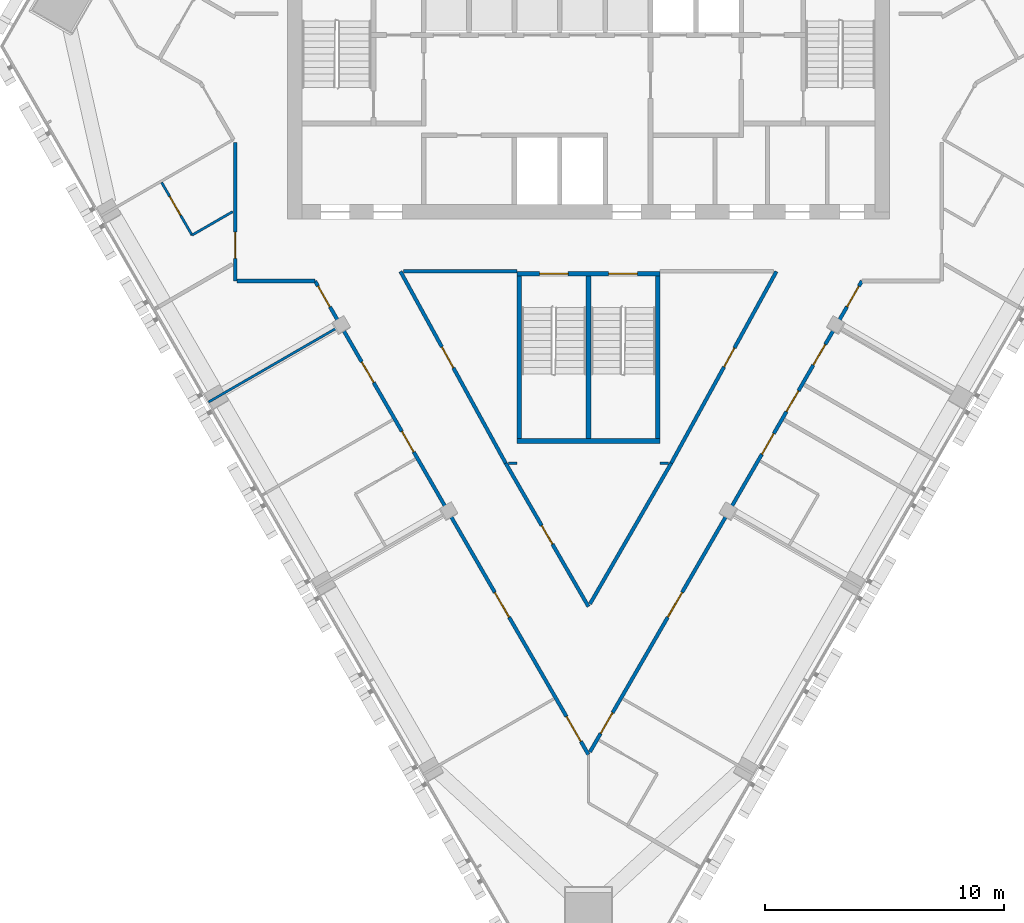
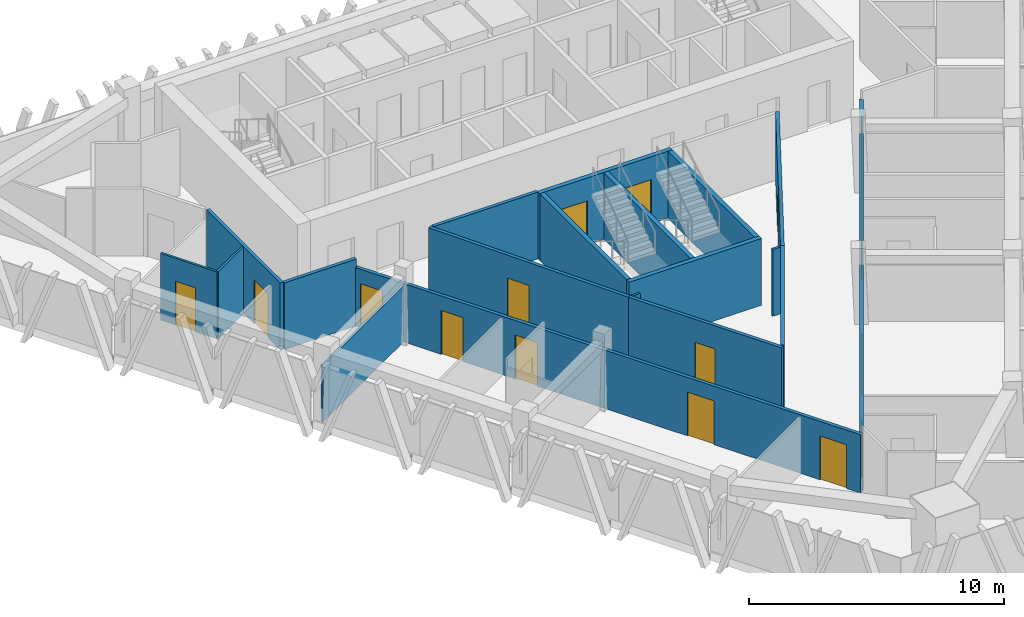
# One storey, part 8 of 14: 19 walls, 18 doors, 18 openings.
"""IFC4 building model written with IfcOpenShell, lengths in metres."""

from ifc_helpers import new_model, si_unit, direction, frame, frame_2d, origin, place, context, subcontext, project, spatial, rectangle, extrude, material, layer, layer_set, type_object, element, fill, save


model = new_model("IFC4")

# Units and contexts
model_context = context("Model", 3, precision=1e-05, world=origin(), true_north=direction((0.0, 1.0)))
body_context = subcontext(model_context, "Body", "Model", "MODEL_VIEW")
ifc_project = project(units=[si_unit("LENGTHUNIT", "METRE"), si_unit("AREAUNIT", "SQUARE_METRE"), si_unit("VOLUMEUNIT", "CUBIC_METRE"), si_unit("PLANEANGLEUNIT", "RADIAN"), si_unit("MASSUNIT", "GRAM", prefix="KILO")], contexts=[model_context])

# Site, building, storey
site_placement = place(None, origin())
site = spatial("IfcSite", under=ifc_project, at=site_placement, CompositionType="ELEMENT")
building_placement = place(site_placement, origin())
building = spatial("IfcBuilding", under=site, at=building_placement, Name="Altiplano Prism Tower", CompositionType="ELEMENT")
storey_placement = place(building_placement, frame((0.0, 0.0, 226.60009765625)))
storey = spatial("IfcBuildingStorey", under=building, at=storey_placement, Name="L58", CompositionType="ELEMENT", Elevation=226.60009765625)

# Wall
ifc_material_1 = material(Name="Plasterboard on steel stud", Category="steel")
ifc_layer_1 = layer(ifc_material_1, 0.10009765625)
ifc_layer_set_1 = layer_set([ifc_layer_1], Name="Plasterboard on steel stud")
wall_type_1 = type_object("IfcWallType", Name="Partition 100 unit", PredefinedType="PARTITIONING", material=ifc_layer_set_1)
wall_1_placement = place(storey_placement, frame((70.10009765625, 93.104736328125, 0.0), z_axis=(0.0, 0.0, 1.0), x_axis=(-0.866065717678, -0.499930167786, 0.0)))
element("IfcWall", 1, at=wall_1_placement, inside=storey, type_object=wall_type_1, Name="Partition P02 L58 028", PredefinedType="PARTITIONING", context=body_context, shape_type="SweptSolid", body=[
    extrude(rectangle(XDim=1.967041015625, YDim=0.10009765625, at=frame_2d((0.9833984375, 0.0))), origin(), (0.0, 0.0, 1.0), 3.199951171875),
])

# Wall, opening, door
wall_2_placement = place(storey_placement, frame((68.396484375, 92.121337890625, 0.0), z_axis=(0.0, 0.0, 1.0), x_axis=(-0.499990435942, 0.866030925526, 0.0)))
wall_2 = element("IfcWall", 2, at=wall_2_placement, inside=storey, type_object=wall_type_1, Name="Partition P02 L58 029", PredefinedType="PARTITIONING", context=body_context, shape_type="SweptSolid", body=[
    extrude(rectangle(XDim=2.5498046875, YDim=0.10009765625, at=frame_2d((1.27490234375, 0.0))), origin(), (0.0, 0.0, 1.0), 3.199951171875),
])
opening_1_placement = place(wall_2_placement, frame((0.964111328125, 0.0, 0.0)))
opening_1 = element("IfcOpeningElement", 3, at=opening_1_placement, cuts=wall_2, Name="Opening D1928", PredefinedType="OPENING", context=body_context, shape_type="SweptSolid", body=[
    extrude(rectangle(XDim=0.89990234375, YDim=2.10009765625, at=frame_2d((0.449951171875, 1.050048828125))), frame((0.0, 0.060546875, 0.0), z_axis=(0.0, -1.0, 0.0), x_axis=(1.0, 0.0, 0.0)), (0.0, 0.0, 1.0), 0.12109375),
])
ifc_material_2 = material(Name="Timber", Category="wood")
door_type_1 = type_object("IfcDoorType", Name="Accessible ensuite door 900 x 2100", OperationType="NOTDEFINED", PredefinedType="NOTDEFINED", material=ifc_material_2)
door_1_placement = place(opening_1_placement, origin())
door_1 = element("IfcDoor", 4, at=door_1_placement, inside=storey, type_object=door_type_1, Name="Door D1928", OperationType="SINGLE_SWING_LEFT", OverallHeight=2.10009765625, OverallWidth=0.89990234375, PredefinedType="NOTDEFINED", context=body_context, shape_type="SweptSolid", body=[
    extrude(rectangle(XDim=0.89990234375, YDim=2.10009765625, at=frame_2d((0.449951171875, 1.050048828125))), frame((0.0, 0.02490234375, 0.0), z_axis=(0.0, -1.0, 0.0), x_axis=(1.0, 0.0, 0.0)), (0.0, 0.0, 1.0), 0.050048828125),
])
fill(opening_1, door_1)

# Walls
ifc_layer_2 = layer(ifc_material_1, 0.10009765625)
ifc_layer_set_2 = layer_set([ifc_layer_2], Name="Plasterboard on steel stud")
wall_type_2 = type_object("IfcWallType", Name="Partition 100 wet", PredefinedType="PARTITIONING", material=ifc_layer_set_2)
for number, where, z_axis, x_axis, name in (
    (5, (88.3525390625, 82.57177734375, 0.0), (0.0, 0.0, 1.0), (-1.0, 0.0, 0.0), "Partition P03 L58 023"),
    (6, (82.0, 82.57177734375, 0.0), (0.0, 0.0, 1.0), (-1.0, 0.0, 0.0), "Partition P03 L58 024"),
):
    element("IfcWall", number, at=place(storey_placement, frame(where, z_axis=z_axis, x_axis=x_axis)), inside=storey, type_object=wall_type_2, Name=name, PredefinedType="PARTITIONING", context=body_context, shape_type="SweptSolid", body=[
        extrude(rectangle(XDim=0.3525390625, YDim=0.10009765625, at=frame_2d((0.17626953125, 0.0))), origin(), (0.0, 0.0, 1.0), 3.199951171875),
    ])
wall_3_placement = place(storey_placement, frame((69.0849609375, 85.128662109375, 0.0), z_axis=(0.0, 0.0, 1.0), x_axis=(0.866025537322, 0.499999768706, 0.0)))
element("IfcWall", 7, at=wall_3_placement, inside=storey, type_object=wall_type_2, Name="Partition P03 L58 031", PredefinedType="PARTITIONING", context=body_context, shape_type="SweptSolid", body=[
    extrude(rectangle(XDim=6.3251953125, YDim=0.10009765625, at=frame_2d((3.16259765625, 0.0))), origin(), (0.0, 0.0, 1.0), 2.699951171875),
])
ifc_layer_3 = layer(ifc_material_1, 0.14990234375)
ifc_layer_set_3 = layer_set([ifc_layer_3], Name="Plasterboard on steel stud")
wall_type_3 = type_object("IfcWallType", Name="Partition 150 corridor", PredefinedType="PARTITIONING", material=ifc_layer_set_3)
wall_4_placement = place(storey_placement, frame((88.468017578125, 82.57177734375, 0.0), z_axis=(0.0, 0.0, 1.0), x_axis=(-0.499892165497, -0.866087653113, 0.0)))
element("IfcWall", 8, at=wall_4_placement, inside=storey, type_object=wall_type_3, Name="Partition P06 L58 001", PredefinedType="PARTITIONING", context=body_context, shape_type="SweptSolid", body=[
    extrude(rectangle(XDim=6.8076171875, YDim=0.14990234375, at=frame_2d((3.40380859375, 0.0))), origin(), (0.0, 0.0, 1.0), 3.199951171875),
])

# Wall, opening, door
wall_5_placement = place(storey_placement, frame((85.0, 76.563232421875, 0.0), z_axis=(0.0, 0.0, 1.0), x_axis=(-0.49989000235, 0.866088901644, 0.0)))
wall_5 = element("IfcWall", 9, at=wall_5_placement, inside=storey, type_object=wall_type_3, Name="Partition P06 L58 002", PredefinedType="PARTITIONING", context=body_context, shape_type="SweptSolid", body=[
    extrude(rectangle(XDim=6.9375, YDim=0.14990234375, at=frame_2d((3.46875, 0.0))), origin(), (0.0, 0.0, 1.0), 3.199951171875),
])
opening_2_placement = place(wall_5_placement, frame((3.01904296875, 0.0, 0.0)))
opening_2 = element("IfcOpeningElement", 10, at=opening_2_placement, cuts=wall_5, Name="Opening D1923", PredefinedType="OPENING", context=body_context, shape_type="SweptSolid", body=[
    extrude(rectangle(XDim=0.89990234375, YDim=2.10009765625, at=frame_2d((0.449951171875, 1.050048828125))), frame((0.0, 0.08544921875, 0.0), z_axis=(0.0, -1.0, 0.0), x_axis=(1.0, 0.0, 0.0)), (0.0, 0.0, 1.0), 0.1708984375),
])
door_type_2 = type_object("IfcDoorType", Name="Toilet door 900 x 2100", OperationType="NOTDEFINED", PredefinedType="NOTDEFINED", material=ifc_material_2)
door_2_placement = place(opening_2_placement, origin())
door_2 = element("IfcDoor", 11, at=door_2_placement, inside=storey, type_object=door_type_2, Name="Door D1923", OperationType="SINGLE_SWING_LEFT", OverallHeight=2.10009765625, OverallWidth=0.89990234375, PredefinedType="NOTDEFINED", context=body_context, shape_type="SweptSolid", body=[
    extrude(rectangle(XDim=0.89990234375, YDim=2.10009765625, at=frame_2d((0.449951171875, 1.050048828125))), frame((0.0, 0.02490234375, 0.0), z_axis=(0.0, -1.0, 0.0), x_axis=(1.0, 0.0, 0.0)), (0.0, 0.0, 1.0), 0.050048828125),
])
fill(opening_2, door_2)

wall_6_placement = place(storey_placement, frame((92.873291015625, 90.60009765625, 0.0), z_axis=(0.0, 0.0, 1.0), x_axis=(-0.481054749011, -0.87669055456, 0.0)))
wall_6 = element("IfcWall", 12, at=wall_6_placement, inside=storey, type_object=wall_type_3, Name="Partition P06 L58 004", PredefinedType="PARTITIONING", context=body_context, shape_type="SweptSolid", body=[
    extrude(rectangle(XDim=9.157470703125, YDim=0.14990234375, at=frame_2d((4.57861328125, 0.0))), origin(), (0.0, 0.0, 1.0), 3.199951171875),
])
opening_3_placement = place(wall_6_placement, frame((3.657958984375, 0.0, 0.0)))
opening_3 = element("IfcOpeningElement", 13, at=opening_3_placement, cuts=wall_6, Name="Opening D1924", PredefinedType="OPENING", context=body_context, shape_type="SweptSolid", body=[
    extrude(rectangle(XDim=0.89990234375, YDim=2.10009765625, at=frame_2d((0.449951171875, 1.050048828125))), frame((0.0, 0.08544921875, 0.0), z_axis=(0.0, -1.0, 0.0), x_axis=(1.0, 0.0, 0.0)), (0.0, 0.0, 1.0), 0.1708984375),
])
door_3_placement = place(opening_3_placement, origin())
door_3 = element("IfcDoor", 14, at=door_3_placement, inside=storey, type_object=door_type_2, Name="Door D1924", OperationType="SINGLE_SWING_RIGHT", OverallHeight=2.10009765625, OverallWidth=0.89990234375, PredefinedType="NOTDEFINED", context=body_context, shape_type="SweptSolid", body=[
    extrude(rectangle(XDim=0.89990234375, YDim=2.10009765625, at=frame_2d((0.449951171875, 1.050048828125))), frame((0.0, 0.02490234375, 0.0), z_axis=(0.0, -1.0, 0.0), x_axis=(1.0, 0.0, 0.0)), (0.0, 0.0, 1.0), 0.050048828125),
])
fill(opening_3, door_3)

wall_7_placement = place(storey_placement, frame((81.531982421875, 82.57177734375, 0.0), z_axis=(0.0, 0.0, 1.0), x_axis=(-0.481054749011, 0.87669055456, 0.0)))
wall_7 = element("IfcWall", 15, at=wall_7_placement, inside=storey, type_object=wall_type_3, Name="Partition P06 L58 005", PredefinedType="PARTITIONING", context=body_context, shape_type="SweptSolid", body=[
    extrude(rectangle(XDim=9.157470703125, YDim=0.14990234375, at=frame_2d((4.57861328125, 0.0))), origin(), (0.0, 0.0, 1.0), 3.199951171875),
])
opening_4_placement = place(wall_7_placement, frame((4.549072265625, 0.0, 0.0)))
opening_4 = element("IfcOpeningElement", 16, at=opening_4_placement, cuts=wall_7, Name="Opening D1925", PredefinedType="OPENING", context=body_context, shape_type="SweptSolid", body=[
    extrude(rectangle(XDim=1.0, YDim=2.10009765625, at=frame_2d((0.5, 1.050048828125))), frame((0.0, 0.08544921875, 0.0), z_axis=(0.0, -1.0, 0.0), x_axis=(1.0, 0.0, 0.0)), (0.0, 0.0, 1.0), 0.1708984375),
])
door_type_3 = type_object("IfcDoorType", Name="Store door 1000 x 2100", OperationType="NOTDEFINED", PredefinedType="NOTDEFINED", material=ifc_material_2)
door_4_placement = place(opening_4_placement, origin())
door_4 = element("IfcDoor", 17, at=door_4_placement, inside=storey, type_object=door_type_3, Name="Door D1925", OperationType="SINGLE_SWING_LEFT", OverallHeight=2.10009765625, OverallWidth=1.0, PredefinedType="NOTDEFINED", context=body_context, shape_type="SweptSolid", body=[
    extrude(rectangle(XDim=1.0, YDim=2.10009765625, at=frame_2d((0.5, 1.050048828125))), frame((0.0, 0.02490234375, 0.0), z_axis=(0.0, -1.0, 0.0), x_axis=(1.0, 0.0, 0.0)), (0.0, 0.0, 1.0), 0.050048828125),
])
fill(opening_4, door_4)

# Wall
wall_8_placement = place(storey_placement, frame((77.25341796875, 90.60009765625, 0.0), z_axis=(0.0, 0.0, 1.0), x_axis=(1.0, 0.0, 0.0)))
element("IfcWall", 18, at=wall_8_placement, inside=storey, type_object=wall_type_3, Name="Partition P06 L58 006", PredefinedType="PARTITIONING", context=body_context, shape_type="SweptSolid", body=[
    extrude(rectangle(XDim=4.74658203125, YDim=0.14990234375, at=frame_2d((2.373291015625, 0.0))), origin(), (0.0, 0.0, 1.0), 3.199951171875),
])

# Wall, opening, door
wall_9_placement = place(storey_placement, frame((70.199951171875, 95.99755859375, 0.0), z_axis=(0.0, 0.0, 1.0), x_axis=(0.0, -1.0, 0.0)))
wall_9 = element("IfcWall", 19, at=wall_9_placement, inside=storey, type_object=wall_type_3, Name="Partition P06 L58 009", PredefinedType="PARTITIONING", context=body_context, shape_type="SweptSolid", body=[
    extrude(rectangle(XDim=5.797607421875, YDim=0.14990234375, at=frame_2d((2.89892578125, 0.0))), origin(), (0.0, 0.0, 1.0), 3.199951171875),
])
opening_5_placement = place(wall_9_placement, frame((3.751953125, 0.0, 0.0)))
opening_5 = element("IfcOpeningElement", 20, at=opening_5_placement, cuts=wall_9, Name="Opening D1927", PredefinedType="OPENING", context=body_context, shape_type="SweptSolid", body=[
    extrude(rectangle(XDim=1.10009765625, YDim=2.10009765625, at=frame_2d((0.550048828125, 1.050048828125))), frame((0.0, 0.08544921875, 0.0), z_axis=(0.0, -1.0, 0.0), x_axis=(1.0, 0.0, 0.0)), (0.0, 0.0, 1.0), 0.1708984375),
])
door_type_4 = type_object("IfcDoorType", Name="Accessible bedroom door 1100 x 2100", OperationType="NOTDEFINED", PredefinedType="NOTDEFINED", material=ifc_material_2)
door_5_placement = place(opening_5_placement, origin())
door_5 = element("IfcDoor", 21, at=door_5_placement, inside=storey, type_object=door_type_4, Name="Door D1927", OperationType="SINGLE_SWING_LEFT", OverallHeight=2.10009765625, OverallWidth=1.10009765625, PredefinedType="NOTDEFINED", context=body_context, shape_type="SweptSolid", body=[
    extrude(rectangle(XDim=1.10009765625, YDim=2.10009765625, at=frame_2d((0.550048828125, 1.050048828125))), frame((0.0, 0.02490234375, 0.0), z_axis=(0.0, -1.0, 0.0), x_axis=(1.0, 0.0, 0.0)), (0.0, 0.0, 1.0), 0.050048828125),
])
fill(opening_5, door_5)

# Wall
wall_10_placement = place(storey_placement, frame((70.27490234375, 90.199951171875, 0.0), z_axis=(0.0, 0.0, 1.0), x_axis=(1.0, 0.0, 0.0)))
element("IfcWall", 22, at=wall_10_placement, inside=storey, type_object=wall_type_3, Name="Partition P06 L58 010", PredefinedType="PARTITIONING", context=body_context, shape_type="SweptSolid", body=[
    extrude(rectangle(XDim=3.272216796875, YDim=0.14990234375, at=frame_2d((1.63623046875, 0.0))), origin(), (0.0, 0.0, 1.0), 3.199951171875),
])

# Wall, openings, doors
wall_11_placement = place(storey_placement, frame((73.547119140625, 90.199951171875, 0.0), z_axis=(0.0, 0.0, 1.0), x_axis=(0.5000057019, -0.866022111766, 0.0)))
wall_11 = element("IfcWall", 23, at=wall_11_placement, inside=storey, type_object=wall_type_3, Name="Partition P06 L58 011", PredefinedType="PARTITIONING", context=body_context, shape_type="SweptSolid", body=[
    extrude(rectangle(XDim=22.905517578125, YDim=0.14990234375, at=frame_2d((11.45263671875, 0.0))), origin(), (0.0, 0.0, 1.0), 2.7998046875),
])
opening_6_placement = place(wall_11_placement, frame((0.248046875, 0.0, 0.0)))
opening_6 = element("IfcOpeningElement", 24, at=opening_6_placement, cuts=wall_11, Name="Opening D1929", PredefinedType="OPENING", context=body_context, shape_type="SweptSolid", body=[
    extrude(rectangle(XDim=1.0, YDim=2.10009765625, at=frame_2d((0.5, 1.050048828125))), frame((0.0, 0.08544921875, 0.0), z_axis=(0.0, -1.0, 0.0), x_axis=(1.0, 0.0, 0.0)), (0.0, 0.0, 1.0), 0.1708984375),
])
opening_7_placement = place(wall_11_placement, frame((3.910888671875, 0.0, 0.0)))
opening_7 = element("IfcOpeningElement", 25, at=opening_7_placement, cuts=wall_11, Name="Opening D1930", PredefinedType="OPENING", context=body_context, shape_type="SweptSolid", body=[
    extrude(rectangle(XDim=1.0, YDim=2.10009765625, at=frame_2d((0.5, 1.050048828125))), frame((0.0, 0.08544921875, 0.0), z_axis=(0.0, -1.0, 0.0), x_axis=(1.0, 0.0, 0.0)), (0.0, 0.0, 1.0), 0.1708984375),
])
opening_8_placement = place(wall_11_placement, frame((7.264892578125, 0.0, 0.0)))
opening_8 = element("IfcOpeningElement", 26, at=opening_8_placement, cuts=wall_11, Name="Opening D1931", PredefinedType="OPENING", context=body_context, shape_type="SweptSolid", body=[
    extrude(rectangle(XDim=1.0, YDim=2.10009765625, at=frame_2d((0.5, 1.050048828125))), frame((0.0, 0.08544921875, 0.0), z_axis=(0.0, -1.0, 0.0), x_axis=(1.0, 0.0, 0.0)), (0.0, 0.0, 1.0), 0.1708984375),
])
opening_9_placement = place(wall_11_placement, frame((15.06103515625, 0.0, 0.0)))
opening_9 = element("IfcOpeningElement", 27, at=opening_9_placement, cuts=wall_11, Name="Opening D1933", PredefinedType="OPENING", context=body_context, shape_type="SweptSolid", body=[
    extrude(rectangle(XDim=1.199951171875, YDim=2.10009765625, at=frame_2d((0.60009765625, 1.050048828125))), frame((0.0, 0.08544921875, 0.0), z_axis=(0.0, -1.0, 0.0), x_axis=(1.0, 0.0, 0.0)), (0.0, 0.0, 1.0), 0.1708984375),
])
opening_10_placement = place(wall_11_placement, frame((21.06591796875, 0.0, 0.0)))
opening_10 = element("IfcOpeningElement", 28, at=opening_10_placement, cuts=wall_11, Name="Opening D1934", PredefinedType="OPENING", context=body_context, shape_type="SweptSolid", body=[
    extrude(rectangle(XDim=1.199951171875, YDim=2.10009765625, at=frame_2d((0.60009765625, 1.050048828125))), frame((0.0, 0.08544921875, 0.0), z_axis=(0.0, -1.0, 0.0), x_axis=(1.0, 0.0, 0.0)), (0.0, 0.0, 1.0), 0.1708984375),
])
door_type_5 = type_object("IfcDoorType", Name="Bedroom entrance door 1000 x 2100", OperationType="NOTDEFINED", PredefinedType="NOTDEFINED", material=ifc_material_2)
door_6_placement = place(opening_8_placement, origin())
door_6 = element("IfcDoor", 29, at=door_6_placement, inside=storey, type_object=door_type_5, Name="Door D1931", OperationType="SINGLE_SWING_RIGHT", OverallHeight=2.10009765625, OverallWidth=1.0, PredefinedType="NOTDEFINED", context=body_context, shape_type="SweptSolid", body=[
    extrude(rectangle(XDim=1.0, YDim=2.10009765625, at=frame_2d((0.5, 1.050048828125))), frame((0.0, 0.02490234375, 0.0), z_axis=(0.0, -1.0, 0.0), x_axis=(1.0, 0.0, 0.0)), (0.0, 0.0, 1.0), 0.050048828125),
])
fill(opening_8, door_6)
door_type_6 = type_object("IfcDoorType", Name="Room door 1000 x 2100", OperationType="NOTDEFINED", PredefinedType="NOTDEFINED", material=ifc_material_2)
door_7_placement = place(opening_6_placement, origin())
door_7 = element("IfcDoor", 30, at=door_7_placement, inside=storey, type_object=door_type_6, Name="Door D1929", OperationType="SINGLE_SWING_RIGHT", OverallHeight=2.10009765625, OverallWidth=1.0, PredefinedType="NOTDEFINED", context=body_context, shape_type="SweptSolid", body=[
    extrude(rectangle(XDim=1.0, YDim=2.10009765625, at=frame_2d((0.5, 1.050048828125))), frame((0.0, 0.02490234375, 0.0), z_axis=(0.0, -1.0, 0.0), x_axis=(1.0, 0.0, 0.0)), (0.0, 0.0, 1.0), 0.050048828125),
])
fill(opening_6, door_7)
door_8_placement = place(opening_7_placement, origin())
door_8 = element("IfcDoor", 31, at=door_8_placement, inside=storey, type_object=door_type_6, Name="Door D1930", OperationType="SINGLE_SWING_RIGHT", OverallHeight=2.10009765625, OverallWidth=1.0, PredefinedType="NOTDEFINED", context=body_context, shape_type="SweptSolid", body=[
    extrude(rectangle(XDim=1.0, YDim=2.10009765625, at=frame_2d((0.5, 1.050048828125))), frame((0.0, 0.02490234375, 0.0), z_axis=(0.0, -1.0, 0.0), x_axis=(1.0, 0.0, 0.0)), (0.0, 0.0, 1.0), 0.050048828125),
])
fill(opening_7, door_8)
door_type_7 = type_object("IfcDoorType", Name="Shared room door 1200 x 2100", OperationType="NOTDEFINED", PredefinedType="NOTDEFINED", material=ifc_material_2)
door_9_placement = place(opening_9_placement, origin())
door_9 = element("IfcDoor", 32, at=door_9_placement, inside=storey, type_object=door_type_7, Name="Door D1933", OperationType="SINGLE_SWING_RIGHT", OverallHeight=2.10009765625, OverallWidth=1.199951171875, PredefinedType="NOTDEFINED", context=body_context, shape_type="SweptSolid", body=[
    extrude(rectangle(XDim=1.199951171875, YDim=2.10009765625, at=frame_2d((0.60009765625, 1.050048828125))), frame((0.0, 0.02490234375, 0.0), z_axis=(0.0, -1.0, 0.0), x_axis=(1.0, 0.0, 0.0)), (0.0, 0.0, 1.0), 0.050048828125),
])
fill(opening_9, door_9)
door_10_placement = place(opening_10_placement, origin())
door_10 = element("IfcDoor", 33, at=door_10_placement, inside=storey, type_object=door_type_7, Name="Door D1934", OperationType="SINGLE_SWING_LEFT", OverallHeight=2.10009765625, OverallWidth=1.199951171875, PredefinedType="NOTDEFINED", context=body_context, shape_type="SweptSolid", body=[
    extrude(rectangle(XDim=1.199951171875, YDim=2.10009765625, at=frame_2d((0.60009765625, 1.050048828125))), frame((0.0, 0.02490234375, 0.0), z_axis=(0.0, -1.0, 0.0), x_axis=(1.0, 0.0, 0.0)), (0.0, 0.0, 1.0), 0.050048828125),
])
fill(opening_10, door_10)

wall_12_placement = place(storey_placement, frame((85.06494140625, 70.475830078125, 0.0), z_axis=(0.0, 0.0, 1.0), x_axis=(0.500007008487, 0.866021357395, 0.0)))
wall_12 = element("IfcWall", 34, at=wall_12_placement, inside=storey, type_object=wall_type_3, Name="Partition P06 L58 012", PredefinedType="PARTITIONING", context=body_context, shape_type="SweptSolid", body=[
    extrude(rectangle(XDim=22.775634765625, YDim=0.14990234375, at=frame_2d((11.3876953125, 0.0))), origin(), (0.0, 0.0, 1.0), 2.7998046875),
])
opening_11_placement = place(wall_12_placement, frame((0.89404296875, 0.0, 0.0)))
opening_11 = element("IfcOpeningElement", 35, at=opening_11_placement, cuts=wall_12, Name="Opening D1935", PredefinedType="OPENING", context=body_context, shape_type="SweptSolid", body=[
    extrude(rectangle(XDim=1.0, YDim=2.10009765625, at=frame_2d((0.5, 1.050048828125))), frame((0.0, 0.08544921875, 0.0), z_axis=(0.0, -1.0, 0.0), x_axis=(1.0, 0.0, 0.0)), (0.0, 0.0, 1.0), 0.1708984375),
])
opening_12_placement = place(wall_12_placement, frame((6.514892578125, 0.0, 0.0)))
opening_12 = element("IfcOpeningElement", 36, at=opening_12_placement, cuts=wall_12, Name="Opening D1937", PredefinedType="OPENING", context=body_context, shape_type="SweptSolid", body=[
    extrude(rectangle(XDim=1.199951171875, YDim=2.10009765625, at=frame_2d((0.60009765625, 1.050048828125))), frame((0.0, 0.08544921875, 0.0), z_axis=(0.0, -1.0, 0.0), x_axis=(1.0, 0.0, 0.0)), (0.0, 0.0, 1.0), 0.1708984375),
])
opening_13_placement = place(wall_12_placement, frame((14.39404296875, 0.0, 0.0)))
opening_13 = element("IfcOpeningElement", 37, at=opening_13_placement, cuts=wall_12, Name="Opening D1938", PredefinedType="OPENING", context=body_context, shape_type="SweptSolid", body=[
    extrude(rectangle(XDim=1.0, YDim=2.10009765625, at=frame_2d((0.5, 1.050048828125))), frame((0.0, 0.08544921875, 0.0), z_axis=(0.0, -1.0, 0.0), x_axis=(1.0, 0.0, 0.0)), (0.0, 0.0, 1.0), 0.1708984375),
])
opening_14_placement = place(wall_12_placement, frame((16.4599609375, 0.0, 0.0)))
opening_14 = element("IfcOpeningElement", 38, at=opening_14_placement, cuts=wall_12, Name="Opening D1940", PredefinedType="OPENING", context=body_context, shape_type="SweptSolid", body=[
    extrude(rectangle(XDim=1.0, YDim=2.10009765625, at=frame_2d((0.5, 1.050048828125))), frame((0.0, 0.08544921875, 0.0), z_axis=(0.0, -1.0, 0.0), x_axis=(1.0, 0.0, 0.0)), (0.0, 0.0, 1.0), 0.1708984375),
])
opening_15_placement = place(wall_12_placement, frame((18.7099609375, 0.0, 0.0)))
opening_15 = element("IfcOpeningElement", 39, at=opening_15_placement, cuts=wall_12, Name="Opening D1941", PredefinedType="OPENING", context=body_context, shape_type="SweptSolid", body=[
    extrude(rectangle(XDim=1.0, YDim=2.10009765625, at=frame_2d((0.5, 1.050048828125))), frame((0.0, 0.08544921875, 0.0), z_axis=(0.0, -1.0, 0.0), x_axis=(1.0, 0.0, 0.0)), (0.0, 0.0, 1.0), 0.1708984375),
])
opening_16_placement = place(wall_12_placement, frame((21.528076171875, 0.0, 0.0)))
opening_16 = element("IfcOpeningElement", 40, at=opening_16_placement, cuts=wall_12, Name="Opening D1942", PredefinedType="OPENING", context=body_context, shape_type="SweptSolid", body=[
    extrude(rectangle(XDim=1.0, YDim=2.10009765625, at=frame_2d((0.5, 1.050048828125))), frame((0.0, 0.08544921875, 0.0), z_axis=(0.0, -1.0, 0.0), x_axis=(1.0, 0.0, 0.0)), (0.0, 0.0, 1.0), 0.1708984375),
])
door_11_placement = place(opening_11_placement, origin())
door_11 = element("IfcDoor", 41, at=door_11_placement, inside=storey, type_object=door_type_5, Name="Door D1935", OperationType="SINGLE_SWING_RIGHT", OverallHeight=2.10009765625, OverallWidth=1.0, PredefinedType="NOTDEFINED", context=body_context, shape_type="SweptSolid", body=[
    extrude(rectangle(XDim=1.0, YDim=2.10009765625, at=frame_2d((0.5, 1.050048828125))), frame((0.0, 0.02490234375, 0.0), z_axis=(0.0, -1.0, 0.0), x_axis=(1.0, 0.0, 0.0)), (0.0, 0.0, 1.0), 0.050048828125),
])
fill(opening_11, door_11)
door_12_placement = place(opening_13_placement, origin())
door_12 = element("IfcDoor", 42, at=door_12_placement, inside=storey, type_object=door_type_5, Name="Door D1938", OperationType="SINGLE_SWING_RIGHT", OverallHeight=2.10009765625, OverallWidth=1.0, PredefinedType="NOTDEFINED", context=body_context, shape_type="SweptSolid", body=[
    extrude(rectangle(XDim=1.0, YDim=2.10009765625, at=frame_2d((0.5, 1.050048828125))), frame((0.0, 0.02490234375, 0.0), z_axis=(0.0, -1.0, 0.0), x_axis=(1.0, 0.0, 0.0)), (0.0, 0.0, 1.0), 0.050048828125),
])
fill(opening_13, door_12)
door_13_placement = place(opening_16_placement, origin())
door_13 = element("IfcDoor", 43, at=door_13_placement, inside=storey, type_object=door_type_6, Name="Door D1942", OperationType="SINGLE_SWING_LEFT", OverallHeight=2.10009765625, OverallWidth=1.0, PredefinedType="NOTDEFINED", context=body_context, shape_type="SweptSolid", body=[
    extrude(rectangle(XDim=1.0, YDim=2.10009765625, at=frame_2d((0.5, 1.050048828125))), frame((0.0, 0.02490234375, 0.0), z_axis=(0.0, -1.0, 0.0), x_axis=(1.0, 0.0, 0.0)), (0.0, 0.0, 1.0), 0.050048828125),
])
fill(opening_16, door_13)
door_14_placement = place(opening_12_placement, origin())
door_14 = element("IfcDoor", 44, at=door_14_placement, inside=storey, type_object=door_type_7, Name="Door D1937", OperationType="SINGLE_SWING_LEFT", OverallHeight=2.10009765625, OverallWidth=1.199951171875, PredefinedType="NOTDEFINED", context=body_context, shape_type="SweptSolid", body=[
    extrude(rectangle(XDim=1.199951171875, YDim=2.10009765625, at=frame_2d((0.60009765625, 1.050048828125))), frame((0.0, 0.02490234375, 0.0), z_axis=(0.0, -1.0, 0.0), x_axis=(1.0, 0.0, 0.0)), (0.0, 0.0, 1.0), 0.050048828125),
])
fill(opening_12, door_14)
door_15_placement = place(opening_14_placement, origin())
door_15 = element("IfcDoor", 45, at=door_15_placement, inside=storey, type_object=door_type_3, Name="Door D1940", OperationType="SINGLE_SWING_RIGHT", OverallHeight=2.10009765625, OverallWidth=1.0, PredefinedType="NOTDEFINED", context=body_context, shape_type="SweptSolid", body=[
    extrude(rectangle(XDim=1.0, YDim=2.10009765625, at=frame_2d((0.5, 1.050048828125))), frame((0.0, 0.02490234375, 0.0), z_axis=(0.0, -1.0, 0.0), x_axis=(1.0, 0.0, 0.0)), (0.0, 0.0, 1.0), 0.050048828125),
])
fill(opening_14, door_15)
door_16_placement = place(opening_15_placement, origin())
door_16 = element("IfcDoor", 46, at=door_16_placement, inside=storey, type_object=door_type_3, Name="Door D1941", OperationType="SINGLE_SWING_RIGHT", OverallHeight=2.10009765625, OverallWidth=1.0, PredefinedType="NOTDEFINED", context=body_context, shape_type="SweptSolid", body=[
    extrude(rectangle(XDim=1.0, YDim=2.10009765625, at=frame_2d((0.5, 1.050048828125))), frame((0.0, 0.02490234375, 0.0), z_axis=(0.0, -1.0, 0.0), x_axis=(1.0, 0.0, 0.0)), (0.0, 0.0, 1.0), 0.050048828125),
])
fill(opening_15, door_16)

ifc_material_3 = material(Name="Concrete C60/75", Category="concrete")
ifc_layer_4 = layer(ifc_material_3, 0.199951171875)
ifc_layer_set_4 = layer_set([ifc_layer_4], Name="Concrete C60/75")
wall_type_4 = type_object("IfcWallType", Name="Stair wall 200", PredefinedType="SOLIDWALL", material=ifc_layer_set_4)
wall_13_placement = place(storey_placement, frame((82.0, 90.5, 0.0), z_axis=(0.0, 0.0, 1.0), x_axis=(1.0, 0.0, 0.0)))
wall_13 = element("IfcWall", 47, at=wall_13_placement, inside=storey, type_object=wall_type_4, Name="Stair 3 wall north L58", PredefinedType="SOLIDWALL", context=body_context, shape_type="SweptSolid", body=[
    extrude(rectangle(XDim=6.0, YDim=0.199951171875, at=frame_2d((3.0, 0.0))), origin(), (0.0, 0.0, 1.0), 3.199951171875),
])
opening_17_placement = place(wall_13_placement, frame((0.949951171875, 0.0, 0.0)))
opening_17 = element("IfcOpeningElement", 48, at=opening_17_placement, cuts=wall_13, Name="Opening D4038", PredefinedType="OPENING", context=body_context, shape_type="SweptSolid", body=[
    extrude(rectangle(XDim=1.199951171875, YDim=2.10009765625, at=frame_2d((0.60009765625, 1.050048828125))), frame((0.0, 0.1103515625, 0.0), z_axis=(0.0, -1.0, 0.0), x_axis=(1.0, 0.0, 0.0)), (0.0, 0.0, 1.0), 0.220947265625),
])
opening_18_placement = place(wall_13_placement, frame((3.85009765625, 0.0, 0.0)))
opening_18 = element("IfcOpeningElement", 49, at=opening_18_placement, cuts=wall_13, Name="Opening D4039", PredefinedType="OPENING", context=body_context, shape_type="SweptSolid", body=[
    extrude(rectangle(XDim=1.199951171875, YDim=2.10009765625, at=frame_2d((0.60009765625, 1.050048828125))), frame((0.0, 0.1103515625, 0.0), z_axis=(0.0, -1.0, 0.0), x_axis=(1.0, 0.0, 0.0)), (0.0, 0.0, 1.0), 0.220947265625),
])
ifc_material_4 = material(Name="Fire-rated steel door", Category="steel")
door_type_8 = type_object("IfcDoorType", Name="Stair fire door 1200 x 2100", OperationType="NOTDEFINED", PredefinedType="NOTDEFINED", material=ifc_material_4)
door_17_placement = place(opening_17_placement, origin())
door_17 = element("IfcDoor", 50, at=door_17_placement, inside=storey, type_object=door_type_8, Name="Stair fire door D4038", OperationType="SINGLE_SWING_LEFT", OverallHeight=2.10009765625, OverallWidth=1.199951171875, PredefinedType="NOTDEFINED", context=body_context, shape_type="SweptSolid", body=[
    extrude(rectangle(XDim=1.199951171875, YDim=2.10009765625, at=frame_2d((0.60009765625, 1.050048828125))), frame((0.0, 0.02490234375, 0.0), z_axis=(0.0, -1.0, 0.0), x_axis=(1.0, 0.0, 0.0)), (0.0, 0.0, 1.0), 0.050048828125),
])
fill(opening_17, door_17)
door_18_placement = place(opening_18_placement, origin())
door_18 = element("IfcDoor", 51, at=door_18_placement, inside=storey, type_object=door_type_8, Name="Stair fire door D4039", OperationType="SINGLE_SWING_LEFT", OverallHeight=2.10009765625, OverallWidth=1.199951171875, PredefinedType="NOTDEFINED", context=body_context, shape_type="SweptSolid", body=[
    extrude(rectangle(XDim=1.199951171875, YDim=2.10009765625, at=frame_2d((0.60009765625, 1.050048828125))), frame((0.0, 0.02490234375, 0.0), z_axis=(0.0, -1.0, 0.0), x_axis=(1.0, 0.0, 0.0)), (0.0, 0.0, 1.0), 0.050048828125),
])
fill(opening_18, door_18)

# Walls
wall_14_placement = place(storey_placement, frame((82.0, 83.5, 0.0), z_axis=(0.0, 0.0, 1.0), x_axis=(1.0, 0.0, 0.0)))
element("IfcWall", 52, at=wall_14_placement, inside=storey, type_object=wall_type_4, Name="Stair 3 wall south L58", PredefinedType="SOLIDWALL", context=body_context, shape_type="SweptSolid", body=[
    extrude(rectangle(XDim=6.0, YDim=0.199951171875, at=frame_2d((3.0, 0.0))), origin(), (0.0, 0.0, 1.0), 3.199951171875),
])
for number, where, z_axis, x_axis, name in (
    (53, (82.10009765625, 83.60009765625, 0.0), (0.0, 0.0, 1.0), (0.0, 1.0, 0.0), "Stair 3 wall west L58"),
    (54, (87.89990234375, 83.60009765625, 0.0), (0.0, 0.0, 1.0), (0.0, 1.0, 0.0), "Stair 3 wall east L58"),
    (55, (85.0, 83.60009765625, 0.0), (0.0, 0.0, 1.0), (0.0, 1.0, 0.0), "Stair 3 wall divider L58"),
):
    element("IfcWall", number, at=place(storey_placement, frame(where, z_axis=z_axis, x_axis=x_axis)), inside=storey, type_object=wall_type_4, Name=name, PredefinedType="SOLIDWALL", context=body_context, shape_type="SweptSolid", body=[
        extrude(rectangle(XDim=6.7998046875, YDim=0.199951171875, at=frame_2d((3.39990234375, 0.0))), origin(), (0.0, 0.0, 1.0), 3.199951171875),
    ])

save(model, "model.ifc")
